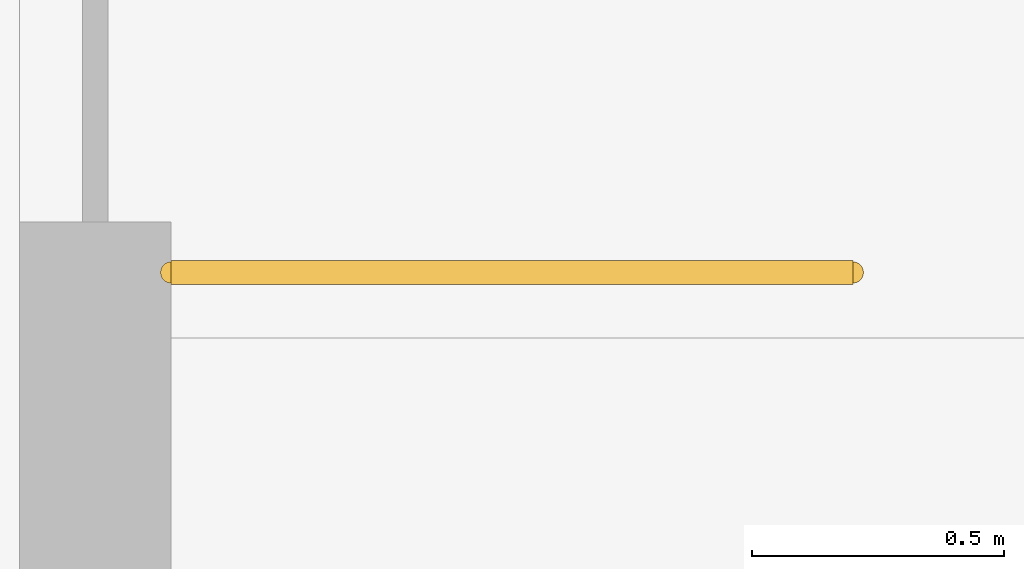
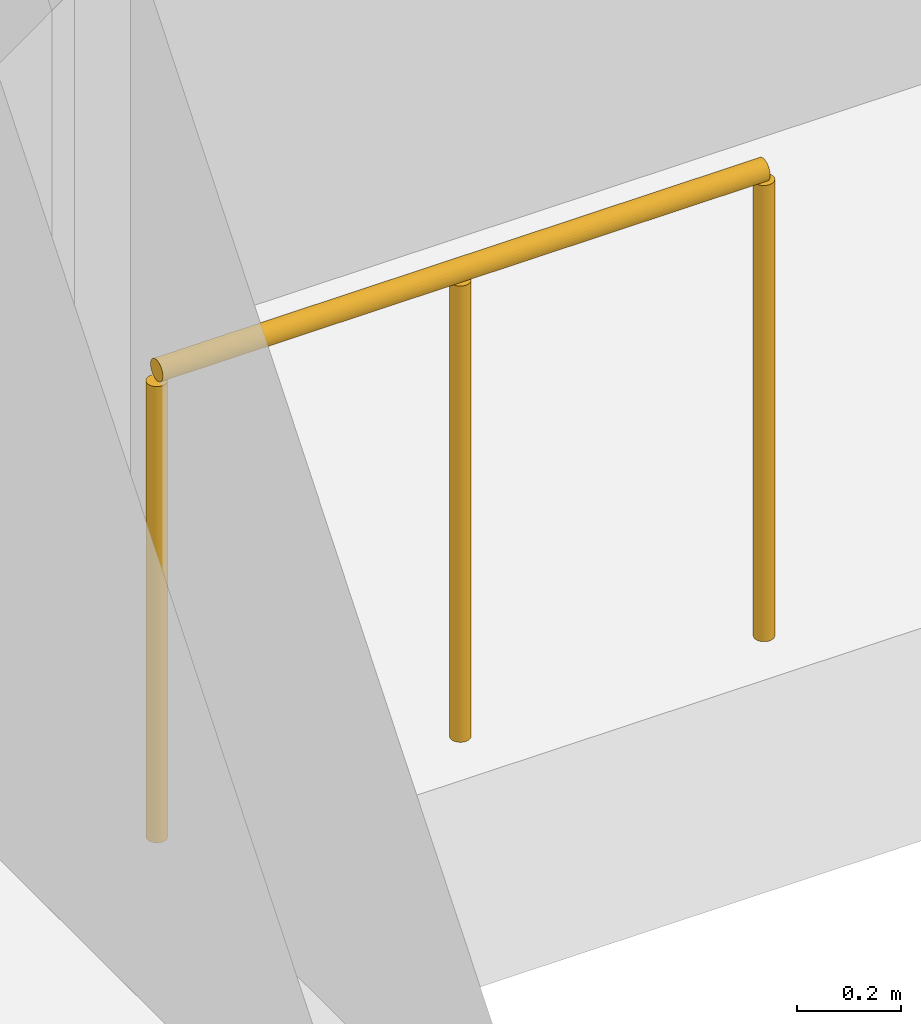
# One storey, part 25 of 26: 1 railing.
"""IFC4 building model written with IfcOpenShell, lengths in metres."""

from ifc_helpers import new_model, si_unit, direction, frame, origin, origin_2d, place, context, subcontext, project, spatial, circle, extrude, material, type_object, element, save


model = new_model("IFC4")

# Units and contexts
model_context = context("Model", 3, precision=1e-05, world=origin(), true_north=direction((0.0, 1.0)))
body_context = subcontext(model_context, "Body", "Model", "MODEL_VIEW")
ifc_project = project(units=[si_unit("LENGTHUNIT", "METRE"), si_unit("AREAUNIT", "SQUARE_METRE"), si_unit("VOLUMEUNIT", "CUBIC_METRE"), si_unit("PLANEANGLEUNIT", "RADIAN"), si_unit("MASSUNIT", "GRAM", prefix="KILO")], contexts=[model_context])

# Site, building, storey
site_placement = place(None, origin())
site = spatial("IfcSite", under=ifc_project, at=site_placement, CompositionType="ELEMENT")
building_placement = place(site_placement, origin())
building = spatial("IfcBuilding", under=site, at=building_placement, Name="Trine Commons Tower", CompositionType="ELEMENT")
storey_placement = place(building_placement, origin())
storey = spatial("IfcBuildingStorey", under=building, at=storey_placement, Name="L00", CompositionType="ELEMENT", Elevation=0.0)

# Railing
ifc_material = material(Name="Structural steel ASTM A500 Gr C", Category="steel")
railing_type = type_object("IfcRailingType", Name="Steel guard 1120 mm, ASTM A500 Gr C", PredefinedType="GUARDRAIL", material=ifc_material)
railing_placement = place(storey_placement, frame((135.10009765625, 102.14990234375, 0.0)))
element("IfcRailing", 1, at=railing_placement, inside=storey, type_object=railing_type, Name="L00 STB4 top well guard 1", PredefinedType="GUARDRAIL", context=body_context, shape_type="SweptSolid", body=[
    extrude(circle(Radius=0.02392578125, at=origin_2d()), frame((0.0, 0.0, 1.09619140625), z_axis=(1.0, 0.0, 0.0), x_axis=(0.0, 1.0, 0.0)), (0.0, 0.0, 1.0), 1.349853515625),
    extrude(circle(Radius=0.02099609375, at=origin_2d()), origin(), (0.0, 0.0, 1.0), 1.072021484375),
    extrude(circle(Radius=0.02099609375, at=origin_2d()), frame((0.6748046875, 0.0, 0.0)), (0.0, 0.0, 1.0), 1.072021484375),
    extrude(circle(Radius=0.02099609375, at=origin_2d()), frame((1.349853515625, 0.0, 0.0)), (0.0, 0.0, 1.0), 1.072021484375),
])

save(model, "model.ifc")
